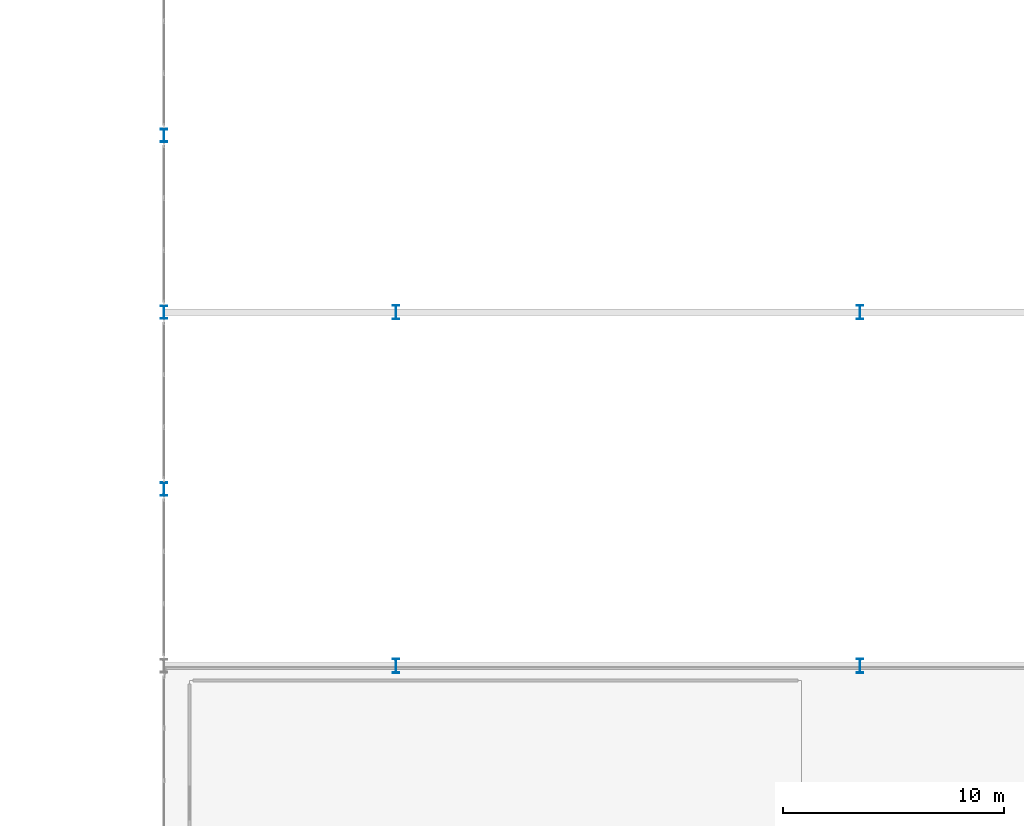
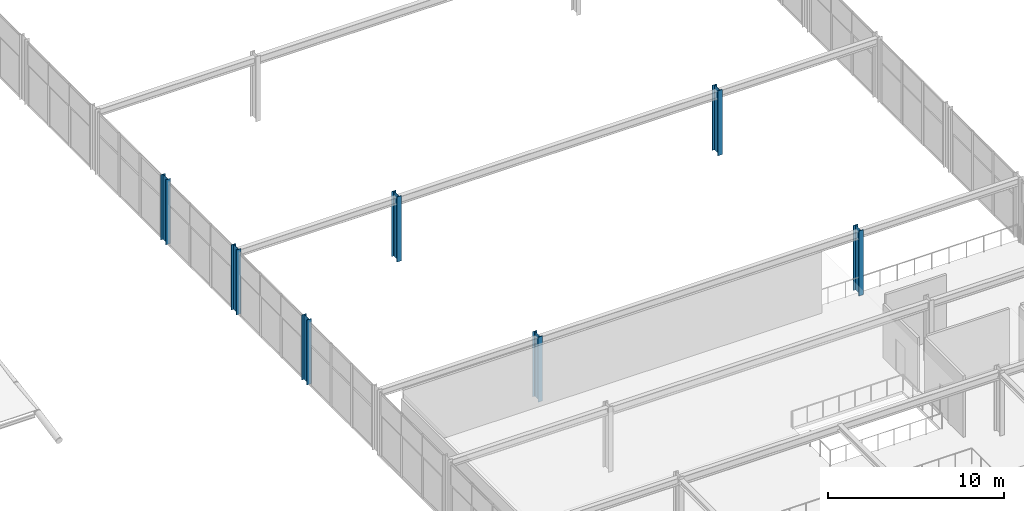
# One storey, part 2 of 105: 7 columns.
"""IFC4 building model written with IfcOpenShell, lengths in metres."""

from ifc_helpers import new_model, si_unit, direction, frame, origin, origin_2d, place, context, subcontext, project, spatial, i_section, extrude, material, material_profile, profile_set, type_object, element, save


model = new_model("IFC4")

# Units and contexts
model_context = context("Model", 3, precision=1e-05, world=origin(), true_north=direction((0.0, 1.0)))
body_context = subcontext(model_context, "Body", "Model", "MODEL_VIEW")
ifc_project = project(units=[si_unit("LENGTHUNIT", "METRE"), si_unit("AREAUNIT", "SQUARE_METRE"), si_unit("VOLUMEUNIT", "CUBIC_METRE"), si_unit("PLANEANGLEUNIT", "RADIAN"), si_unit("MASSUNIT", "GRAM", prefix="KILO")], contexts=[model_context])

# Site, building, storey
site_placement = place(None, origin())
site = spatial("IfcSite", under=ifc_project, at=site_placement, CompositionType="ELEMENT")
building_placement = place(site_placement, origin())
building = spatial("IfcBuilding", under=site, at=building_placement, Name="Marlcrest Central Station", CompositionType="ELEMENT")
storey_placement = place(building_placement, frame((0.0, 0.0, 15.0)))
storey = spatial("IfcBuildingStorey", under=building, at=storey_placement, Name="L03", CompositionType="ELEMENT", Elevation=15.0)

# Columns
ifc_material = material(Name="Steel S355", Category="steel")
ifc_material_profile_1 = material_profile(ifc_material, i_section(OverallWidth=0.300048828125, OverallDepth=0.60009765625, WebThickness=0.015380859375, FlangeThickness=0.030029296875, FilletRadius=0.027099609375, at=origin_2d()), Name="HEB 600")
ifc_profile_set_1 = profile_set([ifc_material_profile_1], Name="Steel S355")
column_type_1 = type_object("IfcColumnType", Name="SC-05", PredefinedType="COLUMN", material=ifc_profile_set_1)
for number, where, z_axis, x_axis, name in (
    (1, (87.0, 46.5, 0.0), (0.0, 0.0, 1.0), (1.0, 0.0, 0.0), "col-SC-05-L03-0712"),
    (2, (87.0, 54.5, 0.0), (0.0, 0.0, 1.0), (1.0, 0.0, 0.0), "col-SC-05-L03-0716"),
    (3, (87.0, 62.5, 0.0), (0.0, 0.0, 1.0), (1.0, 0.0, 0.0), "col-SC-05-L03-0724"),
):
    element("IfcColumn", number, at=place(storey_placement, frame(where, z_axis=z_axis, x_axis=x_axis)), inside=storey, type_object=column_type_1, Name=name, PredefinedType="COLUMN", context=body_context, shape_type="SweptSolid", body=[
        extrude(i_section(OverallWidth=0.300048828125, OverallDepth=0.60009765625, WebThickness=0.015380859375, FlangeThickness=0.030029296875, FilletRadius=0.027099609375, at=origin_2d()), origin(), (0.0, 0.0, 1.0), 4.5),
    ])
ifc_material_profile_2 = material_profile(ifc_material, i_section(OverallWidth=0.300048828125, OverallDepth=0.64990234375, WebThickness=0.01611328125, FlangeThickness=0.031005859375, FilletRadius=0.027099609375, at=origin_2d()), Name="HEB 650")
ifc_profile_set_2 = profile_set([ifc_material_profile_2], Name="Steel S355")
column_type_2 = type_object("IfcColumnType", Name="SC-06", PredefinedType="COLUMN", material=ifc_profile_set_2)
for number, where, z_axis, x_axis, name in (
    (4, (97.5, 38.5, 0.0), (0.0, 0.0, 1.0), (1.0, 0.0, 0.0), "col-SC-06-L03-0706"),
    (5, (118.5, 38.5, 0.0), (0.0, 0.0, 1.0), (1.0, 0.0, 0.0), "col-SC-06-L03-0708"),
    (6, (97.5, 54.5, 0.0), (0.0, 0.0, 1.0), (1.0, 0.0, 0.0), "col-SC-06-L03-0718"),
    (7, (118.5, 54.5, 0.0), (0.0, 0.0, 1.0), (1.0, 0.0, 0.0), "col-SC-06-L03-0720"),
):
    element("IfcColumn", number, at=place(storey_placement, frame(where, z_axis=z_axis, x_axis=x_axis)), inside=storey, type_object=column_type_2, Name=name, PredefinedType="COLUMN", context=body_context, shape_type="SweptSolid", body=[
        extrude(i_section(OverallWidth=0.300048828125, OverallDepth=0.64990234375, WebThickness=0.01611328125, FlangeThickness=0.031005859375, FilletRadius=0.027099609375, at=origin_2d()), origin(), (0.0, 0.0, 1.0), 4.5),
    ])

save(model, "model.ifc")
